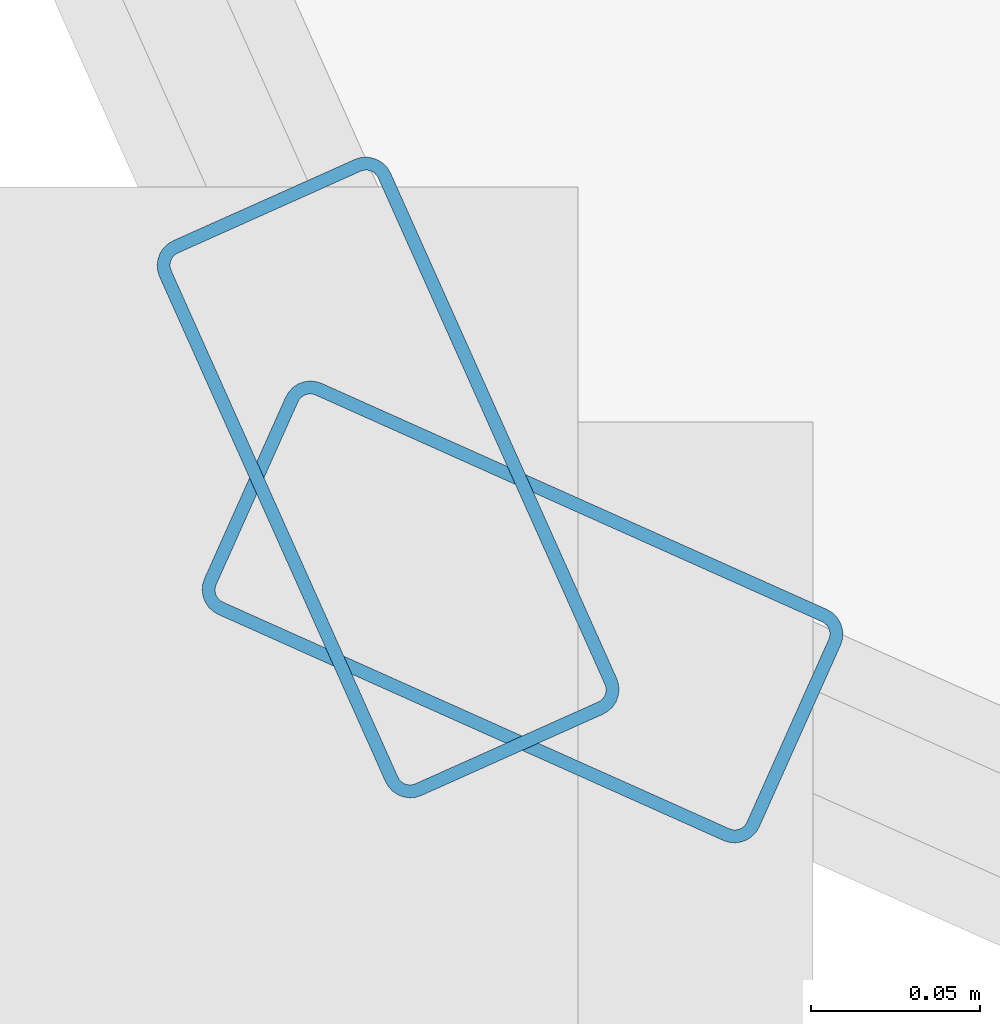
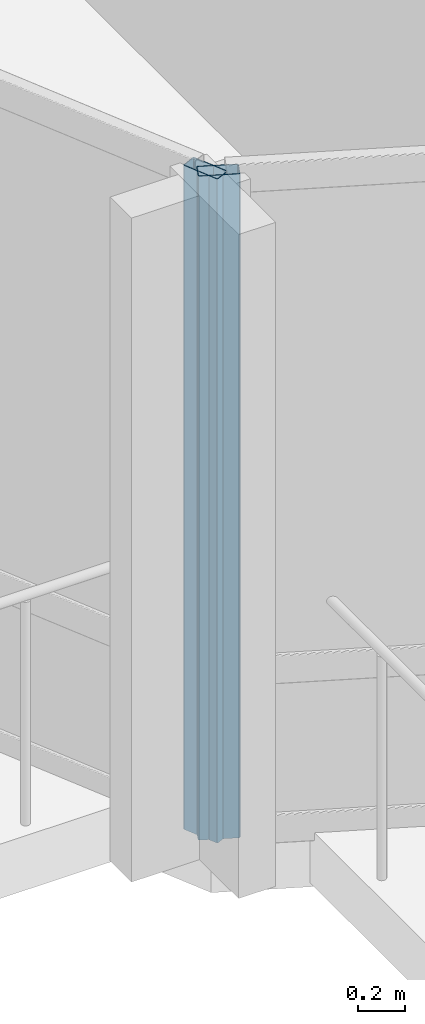
# One storey, part 2 of 19: 2 members, 2 elements without a shape of their own.
"""IFC4 building model written with IfcOpenShell, lengths in metres."""

from ifc_helpers import new_model, si_unit, direction, frame, origin, origin_2d, place, context, subcontext, project, spatial, hollow_rectangle, extrude, material, layer, layer_set, material_profile, profile_set, type_object, element, aggregate, save


model = new_model("IFC4")

# Units and contexts
model_context = context("Model", 3, precision=1e-05, world=origin(), true_north=direction((0.0, 1.0)))
body_context = subcontext(model_context, "Body", "Model", "MODEL_VIEW")
ifc_project = project(units=[si_unit("LENGTHUNIT", "METRE"), si_unit("AREAUNIT", "SQUARE_METRE"), si_unit("VOLUMEUNIT", "CUBIC_METRE"), si_unit("PLANEANGLEUNIT", "RADIAN"), si_unit("MASSUNIT", "GRAM", prefix="KILO")], contexts=[model_context])

# Site, building, storey
site_placement = place(None, origin())
site = spatial("IfcSite", under=ifc_project, at=site_placement, CompositionType="ELEMENT")
building_placement = place(site_placement, origin())
building = spatial("IfcBuilding", under=site, at=building_placement, Name="Solvaryn Broadcast Tower", CompositionType="ELEMENT")
storey_placement = place(building_placement, frame((0.0, 0.0, 290.0)))
storey = spatial("IfcBuildingStorey", under=building, at=storey_placement, Name="L73", CompositionType="ELEMENT", Elevation=290.0)

# Curtain wall, member
ifc_material_1 = material(Name="Aluminium and Terracotta Unitised Curtain Wall", Category="masonry")
ifc_layer_1 = layer(ifc_material_1, 0.239990234375)
ifc_layer_set_1 = layer_set([ifc_layer_1], Name="CW-SYS3-BAYBOX")
curtain_wall_type_1 = type_object("IfcCurtainWallType", Name="CW-SYS3-BAYBOX", PredefinedType="NOTDEFINED", material=ifc_layer_set_1)
curtain_wall_1_placement = place(storey_placement, origin())
curtain_wall_1 = element("IfcCurtainWall", 1, at=curtain_wall_1_placement, inside=storey, type_object=curtain_wall_type_1, Name="L73 Curtain Wall DR2", PredefinedType="NOTDEFINED")
ifc_material_2 = material(Name="Anodised Aluminium 6063-T6", Category="aluminium")
ifc_material_profile = material_profile(ifc_material_2, hollow_rectangle(XDim=0.074951171875, YDim=0.179931640625, WallThickness=0.00390625, InnerFilletRadius=0.00390625, OuterFilletRadius=0.008056640625, at=origin_2d()))
ifc_profile_set = profile_set([ifc_material_profile], Name="Anodised Aluminium 6063-T6")
member_type = type_object("IfcMemberType", Name="CW-MUL-180", PredefinedType="MULLION", material=ifc_profile_set)
member_1_placement = place(storey_placement, frame((10.8046875, 10.844482421875, 0.0), z_axis=(0.0, 0.0, 1.0), x_axis=(0.912773530574, 0.408466010682, 0.0)))
member_1 = element("IfcMember", 2, at=member_1_placement, type_object=member_type, Name="CWS3 mullion 2", PredefinedType="MULLION", context=body_context, shape_type="SweptSolid", body=[
    extrude(hollow_rectangle(XDim=0.074951171875, YDim=0.179931640625, WallThickness=0.00390625, InnerFilletRadius=0.00390625, OuterFilletRadius=0.008056640625, at=origin_2d()), origin(), (0.0, 0.0, 1.0), 3.419921875),
])
aggregate(curtain_wall_1, [member_1])

ifc_material_3 = material(Name="Aluminium and Terracotta Unitised Curtain Wall", Category="masonry")
ifc_layer_2 = layer(ifc_material_3, 0.199951171875)
ifc_layer_set_2 = layer_set([ifc_layer_2], Name="CW-SYS2-LOWMID")
curtain_wall_type_2 = type_object("IfcCurtainWallType", Name="CW-SYS2-LOWMID", PredefinedType="NOTDEFINED", material=ifc_layer_set_2)
curtain_wall_2_placement = place(storey_placement, origin())
curtain_wall_2 = element("IfcCurtainWall", 3, at=curtain_wall_2_placement, inside=storey, type_object=curtain_wall_type_2, Name="L73 Curtain Wall DR3", PredefinedType="NOTDEFINED")
member_2_placement = place(storey_placement, frame((10.844482421875, 10.8046875, 0.0), z_axis=(0.0, 0.0, 1.0), x_axis=(0.408466010682, 0.912773530574, 0.0)))
member_2 = element("IfcMember", 4, at=member_2_placement, type_object=member_type, Name="CWS2 mullion 1", PredefinedType="MULLION", context=body_context, shape_type="SweptSolid", body=[
    extrude(hollow_rectangle(XDim=0.074951171875, YDim=0.179931640625, WallThickness=0.00390625, InnerFilletRadius=0.00390625, OuterFilletRadius=0.008056640625, at=origin_2d()), origin(), (0.0, 0.0, 1.0), 3.419921875),
])
aggregate(curtain_wall_2, [member_2])

save(model, "model.ifc")
